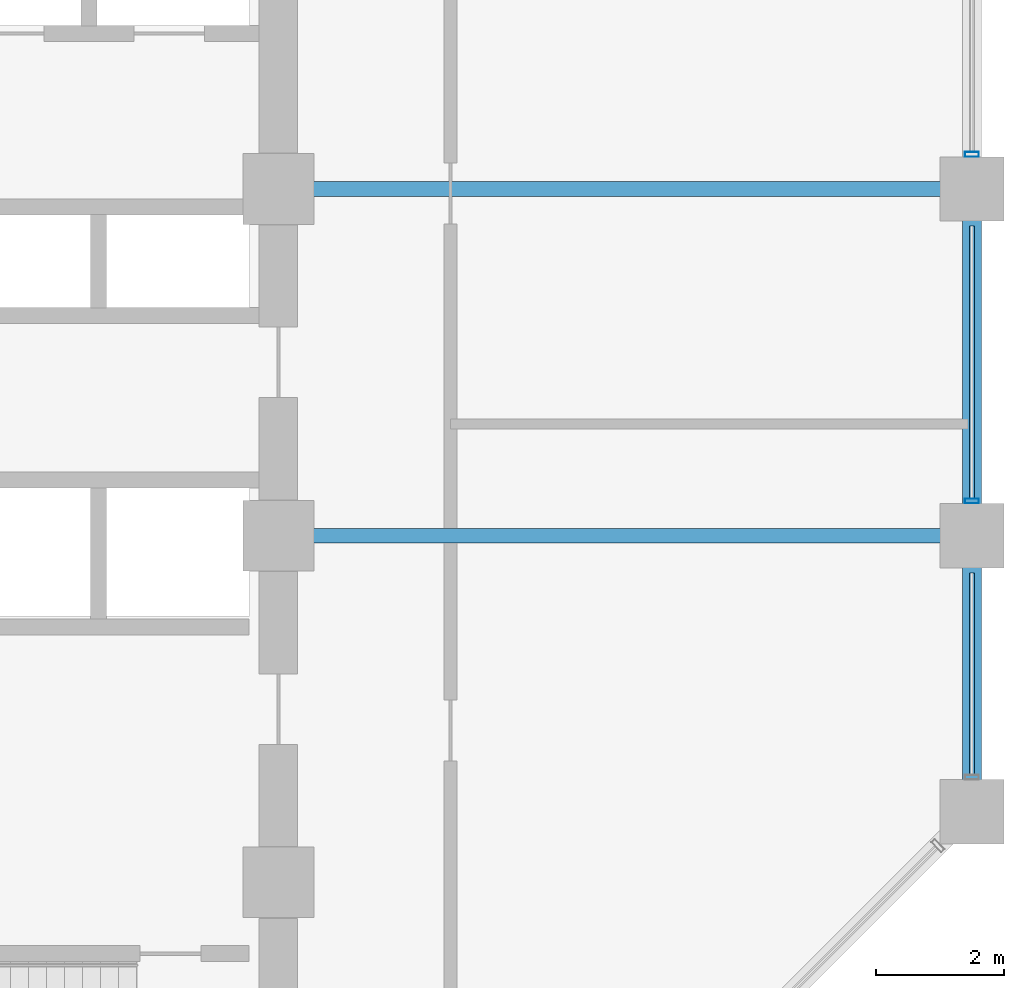
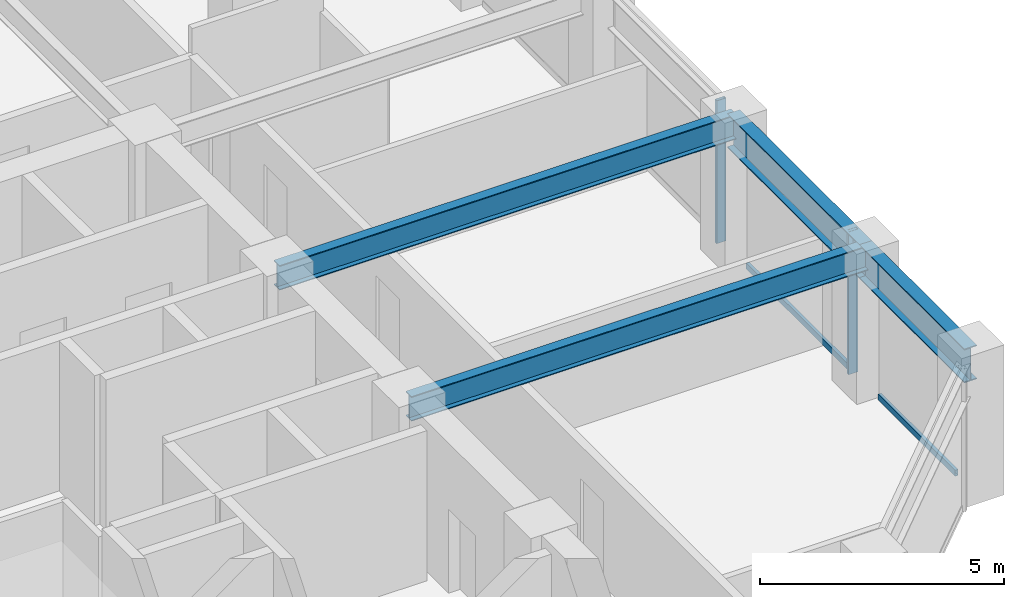
# One storey, part 9 of 23: 4 beams, 4 members, 1 element without a shape of its own.
"""IFC4 building model written with IfcOpenShell, lengths in metres."""

from ifc_helpers import new_model, si_unit, direction, frame, origin, origin_2d, place, context, subcontext, project, spatial, hollow_rectangle, i_section, extrude, material, layer, layer_set, material_profile, profile_set, type_object, element, aggregate, save


model = new_model("IFC4")

# Units and contexts
model_context = context("Model", 3, precision=1e-05, world=origin(), true_north=direction((0.0, 1.0)))
body_context = subcontext(model_context, "Body", "Model", "MODEL_VIEW")
ifc_project = project(units=[si_unit("LENGTHUNIT", "METRE"), si_unit("AREAUNIT", "SQUARE_METRE"), si_unit("VOLUMEUNIT", "CUBIC_METRE"), si_unit("PLANEANGLEUNIT", "RADIAN"), si_unit("MASSUNIT", "GRAM", prefix="KILO")], contexts=[model_context])

# Site, building, storey
site_placement = place(None, origin())
site = spatial("IfcSite", under=ifc_project, at=site_placement, CompositionType="ELEMENT")
building_placement = place(site_placement, origin())
building = spatial("IfcBuilding", under=site, at=building_placement, Name="Surkhivell Harbour Commons", CompositionType="ELEMENT")
storey_placement = place(building_placement, frame((0.0, 0.0, 128.25)))
storey = spatial("IfcBuildingStorey", under=building, at=storey_placement, Name="L33", CompositionType="ELEMENT", Elevation=128.25)

# Beams
ifc_material_1 = material(Name="Steel S355", Category="steel")
ifc_material_profile_1 = material_profile(ifc_material_1, i_section(OverallWidth=0.22998046875, OverallDepth=0.616943359375, WebThickness=0.01318359375, FlangeThickness=0.022216796875, at=origin_2d()), Name="UB610x229x140")
ifc_profile_set_1 = profile_set([ifc_material_profile_1], Name="Steel S355")
beam_type_1 = type_object("IfcBeamType", Name="BM-GRD-610B", PredefinedType="BEAM", material=ifc_profile_set_1)
for number, where, z_axis, x_axis, name in (
    (1, (10.800048828125, 0.0, 3.261474609375), (1.0, 0.0, 0.0), (0.0, 1.0, 0.0), "L33 Floor Girder (10.8,0.0)"),
    (2, (10.800048828125, 5.39990234375, 3.261474609375), (1.0, 0.0, 0.0), (0.0, 1.0, 0.0), "L33 Floor Girder (10.8,5.4)"),
):
    element("IfcBeam", number, at=place(storey_placement, frame(where, z_axis=z_axis, x_axis=x_axis)), inside=storey, type_object=beam_type_1, Name=name, PredefinedType="BEAM", context=body_context, shape_type="SweptSolid", body=[
        extrude(i_section(OverallWidth=0.22998046875, OverallDepth=0.616943359375, WebThickness=0.01318359375, FlangeThickness=0.022216796875, at=origin_2d()), origin(), (0.0, 0.0, 1.0), 10.800048828125),
    ])
ifc_material_2 = material(Name="Steel S460", Category="steel")
ifc_material_profile_2 = material_profile(ifc_material_2, i_section(OverallWidth=0.2939453125, OverallDepth=0.85107421875, WebThickness=0.01611328125, FlangeThickness=0.02685546875, at=origin_2d()), Name="UB838x292x226")
ifc_profile_set_2 = profile_set([ifc_material_profile_2], Name="Steel S460")
beam_type_2 = type_object("IfcBeamType", Name="BM-SPN-838", PredefinedType="SPANDREL", material=ifc_profile_set_2)
beam_1_placement = place(storey_placement, frame((21.60009765625, -4.300048828125, 3.14453125), z_axis=(0.0, 1.0, 0.0), x_axis=(-1.0, 0.0, 0.0)))
element("IfcBeam", 3, at=beam_1_placement, inside=storey, type_object=beam_type_2, Name="L33 Tube Spandrel (21.6,-4.3)", PredefinedType="SPANDREL", context=body_context, shape_type="SweptSolid", body=[
    extrude(i_section(OverallWidth=0.2939453125, OverallDepth=0.85107421875, WebThickness=0.01611328125, FlangeThickness=0.02685546875, at=origin_2d()), origin(), (0.0, 0.0, 1.0), 4.300048828125),
])
beam_2_placement = place(storey_placement, frame((21.60009765625, 0.0, 3.14453125), z_axis=(0.0, 1.0, 0.0), x_axis=(-1.0, 0.0, 0.0)))
element("IfcBeam", 4, at=beam_2_placement, inside=storey, type_object=beam_type_2, Name="L33 Tube Spandrel (21.6,0.0)", PredefinedType="SPANDREL", context=body_context, shape_type="SweptSolid", body=[
    extrude(i_section(OverallWidth=0.2939453125, OverallDepth=0.85107421875, WebThickness=0.01611328125, FlangeThickness=0.02685546875, at=origin_2d()), origin(), (0.0, 0.0, 1.0), 5.39990234375),
])

# Curtain wall, members
ifc_material_3 = material(Name="Anodised pale-metal aluminium and insulated glazing", Category="aluminium")
ifc_layer = layer(ifc_material_3, 0.205078125)
ifc_layer_set = layer_set([ifc_layer], Name="Anodised pale-metal aluminium and insulated glazing")
curtain_wall_type = type_object("IfcCurtainWallType", Name="CW-SYS-Z2", PredefinedType="NOTDEFINED", material=ifc_layer_set)
curtain_wall_placement = place(storey_placement, origin())
curtain_wall = element("IfcCurtainWall", 5, at=curtain_wall_placement, inside=storey, type_object=curtain_wall_type, Name="L33 Curtain Wall CW-L33-E02", PredefinedType="NOTDEFINED")
ifc_material_4 = material(Name="Anodised pale-metal aluminium alloy 6063-T6", Category="aluminium")
ifc_material_profile_3 = material_profile(ifc_material_4, hollow_rectangle(XDim=0.074951171875, YDim=0.219970703125, WallThickness=0.00390625, at=origin_2d()), Name="ALU-MULL-75x220")
ifc_profile_set_3 = profile_set([ifc_material_profile_3], Name="Anodised pale-metal aluminium alloy 6063-T6")
member_type_1 = type_object("IfcMemberType", Name="CWM-220", PredefinedType="MULLION", material=ifc_profile_set_3)
member_1_placement = place(storey_placement, frame((21.60009765625, 0.53955078125, 0.0), z_axis=(0.0, 0.0, 1.0), x_axis=(0.0, 1.0, 0.0)))
member_1 = element("IfcMember", 6, at=member_1_placement, type_object=member_type_1, Name="CW-Z2 mullion 2", PredefinedType="MULLION", context=body_context, shape_type="SweptSolid", body=[
    extrude(hollow_rectangle(XDim=0.074951171875, YDim=0.219970703125, WallThickness=0.00390625, at=origin_2d()), origin(), (0.0, 0.0, 1.0), 3.570068359375),
])
member_2_placement = place(storey_placement, frame((21.60009765625, 5.939453125, 0.0), z_axis=(0.0, 0.0, 1.0), x_axis=(0.0, 1.0, 0.0)))
member_2 = element("IfcMember", 7, at=member_2_placement, type_object=member_type_1, Name="CW-Z2 mullion 3", PredefinedType="MULLION", context=body_context, shape_type="SweptSolid", body=[
    extrude(hollow_rectangle(XDim=0.074951171875, YDim=0.219970703125, WallThickness=0.00390625, at=origin_2d()), origin(), (0.0, 0.0, 1.0), 3.570068359375),
])
ifc_material_profile_4 = material_profile(ifc_material_4, hollow_rectangle(XDim=0.074951171875, YDim=0.14990234375, WallThickness=0.00341796875, at=origin_2d()), Name="ALU-TRAN-75x150")
ifc_profile_set_4 = profile_set([ifc_material_profile_4], Name="Anodised pale-metal aluminium alloy 6063-T6")
member_type_2 = type_object("IfcMemberType", Name="CWT-150", PredefinedType="USERDEFINED", material=ifc_profile_set_4)
member_3_placement = place(storey_placement, frame((21.60009765625, -3.722900390625, 0.074951171875), z_axis=(0.0, 1.0, 0.0), x_axis=(-1.0, 0.0, 0.0)))
member_3 = element("IfcMember", 8, at=member_3_placement, type_object=member_type_2, Name="CW-Z2 transom 1.1", ObjectType="TRANSOM", PredefinedType="USERDEFINED", context=body_context, shape_type="SweptSolid", body=[
    extrude(hollow_rectangle(XDim=0.074951171875, YDim=0.14990234375, WallThickness=0.00341796875, at=origin_2d()), origin(), (0.0, 0.0, 1.0), 3.14599609375),
])
member_4_placement = place(storey_placement, frame((21.60009765625, 0.576904296875, 0.074951171875), z_axis=(0.0, 1.0, 0.0), x_axis=(-1.0, 0.0, 0.0)))
member_4 = element("IfcMember", 9, at=member_4_placement, type_object=member_type_2, Name="CW-Z2 transom 2.1", ObjectType="TRANSOM", PredefinedType="USERDEFINED", context=body_context, shape_type="SweptSolid", body=[
    extrude(hollow_rectangle(XDim=0.074951171875, YDim=0.14990234375, WallThickness=0.00341796875, at=origin_2d()), origin(), (0.0, 0.0, 1.0), 4.24609375),
])
aggregate(curtain_wall, [member_3, member_1, member_4, member_2])

save(model, "model.ifc")
